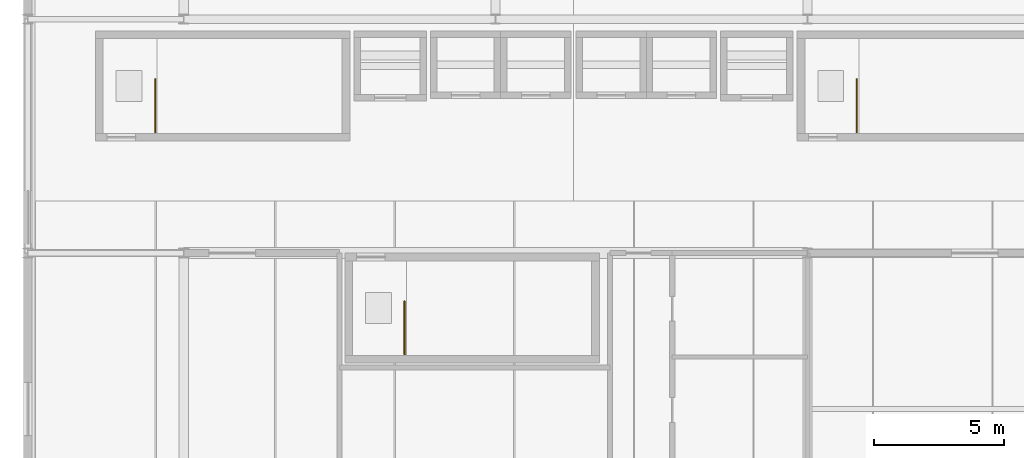
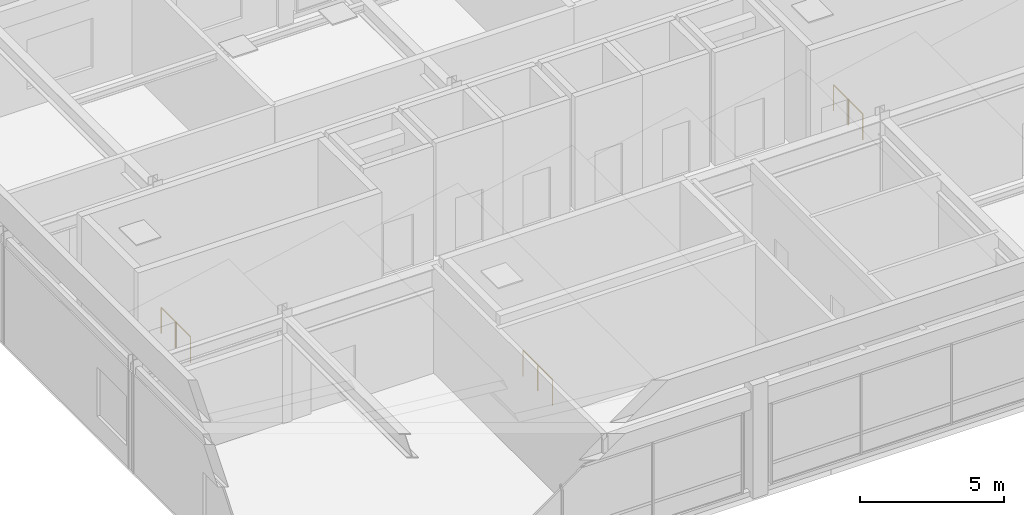
# One storey, part 16 of 16: 3 railings.
"""IFC4 building model written with IfcOpenShell, lengths in metres."""

from ifc_helpers import new_model, si_unit, direction, frame, origin, origin_2d, place, context, subcontext, project, spatial, circle, extrude, material, type_object, element, save


model = new_model("IFC4")

# Units and contexts
model_context = context("Model", 3, precision=1e-05, world=origin(), true_north=direction((0.0, 1.0)))
body_context = subcontext(model_context, "Body", "Model", "MODEL_VIEW")
ifc_project = project(units=[si_unit("LENGTHUNIT", "METRE"), si_unit("AREAUNIT", "SQUARE_METRE"), si_unit("VOLUMEUNIT", "CUBIC_METRE"), si_unit("PLANEANGLEUNIT", "RADIAN"), si_unit("MASSUNIT", "GRAM", prefix="KILO")], contexts=[model_context])

# Site, building, storey
site_placement = place(None, origin())
site = spatial("IfcSite", under=ifc_project, at=site_placement, CompositionType="ELEMENT")
building_placement = place(site_placement, origin())
building = spatial("IfcBuilding", under=site, at=building_placement, Name="Kaldorvane Square Convention Centre", CompositionType="ELEMENT")
storey_placement = place(building_placement, frame((0.0, 0.0, 70.80000305175781)))
storey = spatial("IfcBuildingStorey", under=building, at=storey_placement, Name="L17", CompositionType="ELEMENT", Elevation=70.80000305175781)

# Railings
ifc_material = material(Name="Architectural Painted Steel", Category="steel")
railing_type = type_object("IfcRailingType", Name="RL-GUARD-1120", PredefinedType="BALUSTRADE", material=ifc_material)
for number, where, name in (
    (1, (40.899993896484375, 100.64999389648438, 0.0), "Tower Exit Stair T1 Floor Well Guard (L17)"),
    (2, (67.89999389648438, 100.64999389648438, 0.0), "Tower Exit Stair T2 Floor Well Guard (L17)"),
):
    element("IfcRailing", number, at=place(storey_placement, frame(where)), inside=storey, type_object=railing_type, Name=name, PredefinedType="BALUSTRADE", context=body_context, shape_type="SweptSolid", body=[
        extrude(circle(Radius=0.0240020751953125, at=origin_2d()), frame((0.0, 0.0, 1.0959930419921875), z_axis=(0.0, 1.0, 0.0), x_axis=(-1.0, 0.0, 0.0)), (0.0, 0.0, 1.0), 2.040008544921875),
        extrude(circle(Radius=0.02099609375, at=origin_2d()), origin(), (0.0, 0.0, 1.0), 1.071990966796875),
        extrude(circle(Radius=0.02099609375, at=origin_2d()), frame((0.0, 1.0200042724609375, 0.0)), (0.0, 0.0, 1.0), 1.071990966796875),
        extrude(circle(Radius=0.02099609375, at=origin_2d()), frame((0.0, 2.040008544921875, 0.0)), (0.0, 0.0, 1.0), 1.071990966796875),
    ])
railing_placement = place(storey_placement, frame((50.5, 92.10000610351562, 0.0)))
element("IfcRailing", 3, at=railing_placement, inside=storey, type_object=railing_type, Name="Tower Exit Stair T3 Floor Well Guard (L17)", PredefinedType="BALUSTRADE", context=body_context, shape_type="SweptSolid", body=[
    extrude(circle(Radius=0.0240020751953125, at=origin_2d()), frame((0.0, 0.0, 1.0959930419921875), z_axis=(0.0, 1.0, 0.0), x_axis=(-1.0, 0.0, 0.0)), (0.0, 0.0, 1.0), 2.0399932861328125),
    extrude(circle(Radius=0.02099609375, at=origin_2d()), origin(), (0.0, 0.0, 1.0), 1.071990966796875),
    extrude(circle(Radius=0.02099609375, at=origin_2d()), frame((0.0, 1.019989013671875, 0.0)), (0.0, 0.0, 1.0), 1.071990966796875),
    extrude(circle(Radius=0.02099609375, at=origin_2d()), frame((0.0, 2.0399932861328125, 0.0)), (0.0, 0.0, 1.0), 1.071990966796875),
])

save(model, "model.ifc")
